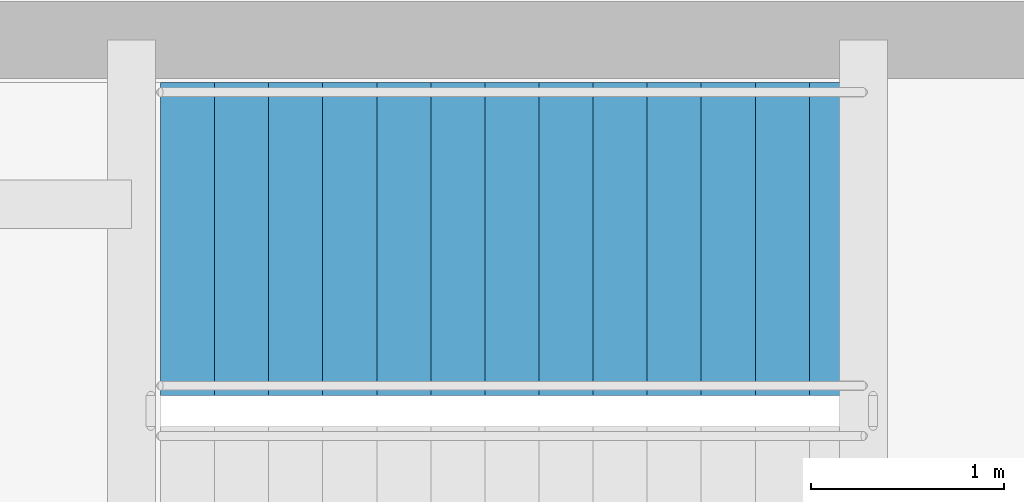
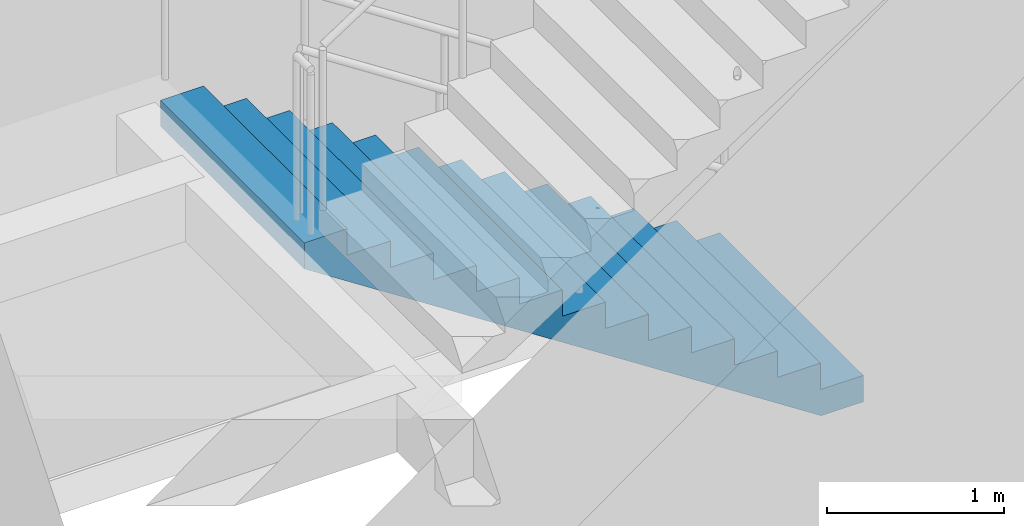
# One storey, part 6 of 11: 1 stair flight, 1 element without a shape of its own.
"""IFC4 building model written with IfcOpenShell, lengths in metres."""

from ifc_helpers import new_model, si_unit, direction, frame, origin, place, context, subcontext, project, spatial, polyline, outline, extrude, material, layer, layer_set, type_object, element, aggregate, save


model = new_model("IFC4")

# Units and contexts
model_context = context("Model", 3, precision=1e-05, world=origin(), true_north=direction((0.0, 1.0)))
body_context = subcontext(model_context, "Body", "Model", "MODEL_VIEW")
ifc_project = project(units=[si_unit("LENGTHUNIT", "METRE"), si_unit("AREAUNIT", "SQUARE_METRE"), si_unit("VOLUMEUNIT", "CUBIC_METRE"), si_unit("PLANEANGLEUNIT", "RADIAN"), si_unit("MASSUNIT", "GRAM", prefix="KILO")], contexts=[model_context])

# Site, building, storey
site_placement = place(None, origin())
site = spatial("IfcSite", under=ifc_project, at=site_placement, CompositionType="ELEMENT")
building_placement = place(site_placement, origin())
building = spatial("IfcBuilding", under=site, at=building_placement, Name="Qingluan Cross Belvedere", CompositionType="ELEMENT")
storey_placement = place(building_placement, frame((0.0, 0.0, 143.699951171875)))
storey = spatial("IfcBuildingStorey", under=building, at=storey_placement, Name="L36", CompositionType="ELEMENT", Elevation=143.699951171875)

# Stair, stair flight
ifc_material_1 = material(Name="Concrete C40", Category="concrete")
stair_type = type_object("IfcStairType", Name="CoreDoglegStair_1620", PredefinedType="HALF_TURN_STAIR", material=ifc_material_1)
stair_placement = place(storey_placement, origin())
stair = element("IfcStair", 1, at=stair_placement, inside=storey, type_object=stair_type, Name="L36 ST3", PredefinedType="HALF_TURN_STAIR")
ifc_material_2 = material(Name="Concrete C40", Category="concrete")
ifc_layer = layer(ifc_material_2, 0.179931640625, Name="StairFlight_RC180")
ifc_layer_set = layer_set([ifc_layer], Name="Concrete C40")
stair_flight_type = type_object("IfcStairFlightType", Name="StairFlight_RC180", PredefinedType="STRAIGHT", material=ifc_layer_set)
stair_flight_placement = place(storey_placement, frame((-6.179931640625, 8.010009765625, 0.0), z_axis=(0.0, 0.0, 1.0), x_axis=(-1.0, 0.0, 0.0)))
stair_flight = element("IfcStairFlight", 2, at=stair_flight_placement, type_object=stair_flight_type, Name="ST3 flight 1", NumberOfRisers=14, NumberOfTreads=13, PredefinedType="STRAIGHT", RiserHeight=0.182142857, TreadLength=0.28, context=body_context, shape_type="SweptSolid", body=[
    extrude(outline(polyline([(0.0, 0.0), (0.0, 0.18212890625), (0.280029296875, 0.18212890625), (0.280029296875, 0.3642578125), (0.56005859375, 0.3642578125), (0.56005859375, 0.54638671875), (0.840087890625, 0.54638671875), (0.840087890625, 0.728515625), (1.1201171875, 0.728515625), (1.1201171875, 0.91064453125), (1.39990234375, 0.91064453125), (1.39990234375, 1.0927734375), (1.679931640625, 1.0927734375), (1.679931640625, 1.27490234375), (1.9599609375, 1.27490234375), (1.9599609375, 1.45703125), (2.239990234375, 1.45703125), (2.239990234375, 1.639404296875), (2.52001953125, 1.639404296875), (2.52001953125, 1.821533203125), (2.800048828125, 1.821533203125), (2.800048828125, 2.003662109375), (3.080078125, 2.003662109375), (3.080078125, 2.185791015625), (3.360107421875, 2.185791015625), (3.360107421875, 2.367919921875), (3.639892578125, 2.367919921875), (3.639892578125, 2.550048828125), (3.639892578125, 2.18896484375), (0.27490234375, 0.0), (0.0, 0.0)])), frame((0.0, 0.81005859375, 0.0), z_axis=(0.0, -1.0, 0.0), x_axis=(1.0, 0.0, 0.0)), (0.0, 0.0, 1.0), 1.6201171875),
])
aggregate(stair, [stair_flight])

save(model, "model.ifc")
